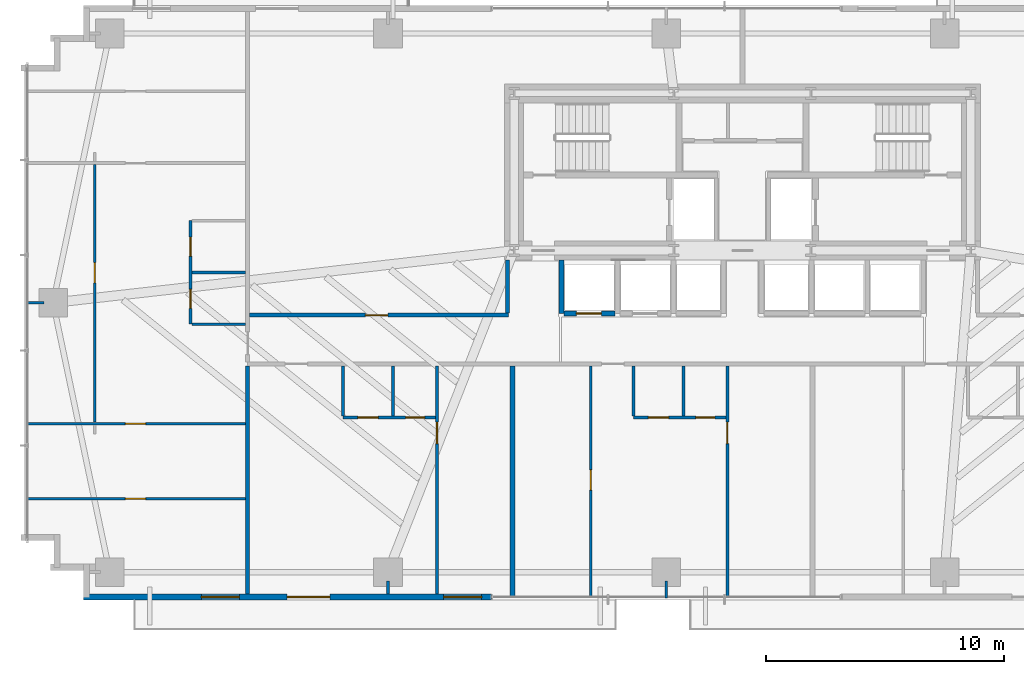
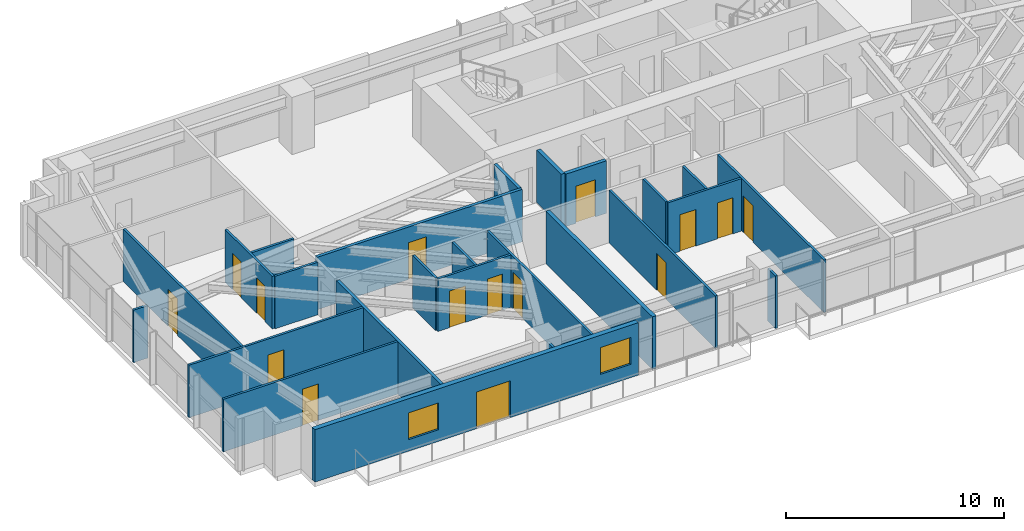
# One storey, part 19 of 25: 25 walls, 15 doors, 2 windows, 17 openings.
"""IFC4 building model written with IfcOpenShell, lengths in metres."""

from ifc_helpers import new_model, si_unit, direction, frame, frame_2d, origin, place, context, subcontext, project, spatial, rectangle, extrude, source, transform, mapped, material, layer, layer_set, type_object, type_shapes, element, fill, save


model = new_model("IFC4")

# Units and contexts
model_context = context("Model", 3, precision=1e-05, world=origin(), true_north=direction((0.0, 1.0)))
body_context = subcontext(model_context, "Body", "Model", "MODEL_VIEW")
ifc_project = project(units=[si_unit("LENGTHUNIT", "METRE"), si_unit("AREAUNIT", "SQUARE_METRE"), si_unit("VOLUMEUNIT", "CUBIC_METRE"), si_unit("PLANEANGLEUNIT", "RADIAN"), si_unit("MASSUNIT", "GRAM", prefix="KILO")], contexts=[model_context])

# Site, building, storey
site_placement = place(None, origin())
site = spatial("IfcSite", under=ifc_project, at=site_placement, CompositionType="ELEMENT")
building_placement = place(site_placement, origin())
building = spatial("IfcBuilding", under=site, at=building_placement, Name="Astriad Promenade Condominiums", CompositionType="ELEMENT")
storey_placement = place(building_placement, frame((0.0, 0.0, 45.39990234375)))
storey = spatial("IfcBuildingStorey", under=building, at=storey_placement, Name="L12", CompositionType="ELEMENT", Elevation=45.39990234375)

# Wall
ifc_material_1 = material(Name="Fire-Rated Gypsum Partition")
ifc_layer_1 = layer(ifc_material_1, 0.159912109375)
ifc_layer_set_1 = layer_set([ifc_layer_1], Name="Fire-Rated Gypsum Partition")
wall_type_1 = type_object("IfcWallType", Name="WALL-CORR-160", PredefinedType="PARTITIONING", material=ifc_layer_set_1)
wall_1_placement = place(storey_placement, frame((15.199951171875, 2.9619140625, 0.0), z_axis=(0.0, 0.0, 1.0), x_axis=(0.0, 1.0, 0.0)))
element("IfcWall", 1, at=wall_1_placement, inside=storey, type_object=wall_type_1, Name="PT-COR-W-L12", PredefinedType="PARTITIONING", context=body_context, shape_type="SweptSolid", body=[
    extrude(rectangle(XDim=9.586181640625, YDim=0.159912109375, at=frame_2d((4.79296875, 0.0))), origin(), (0.0, 0.0, 1.0), 2.940185546875),
])

# Wall, opening, door
wall_2_placement = place(storey_placement, frame((15.281982421875, 14.679931640625, 0.0), z_axis=(0.0, 0.0, 1.0), x_axis=(1.0, 0.0, 0.0)))
wall_2 = element("IfcWall", 2, at=wall_2_placement, inside=storey, type_object=wall_type_1, Name="PT-FLK-NW-L12", PredefinedType="PARTITIONING", context=body_context, shape_type="SweptSolid", body=[
    extrude(rectangle(XDim=10.8779296875, YDim=0.159912109375, at=frame_2d((5.43896484375, 0.0))), origin(), (0.0, 0.0, 1.0), 2.940185546875),
])
opening_1_placement = place(wall_2_placement, frame((4.863037109375, 0.0, 0.0)))
opening_1 = element("IfcOpeningElement", 3, at=opening_1_placement, cuts=wall_2, Name="Opening FD60-APT-095", PredefinedType="OPENING", context=body_context, shape_type="SweptSolid", body=[
    extrude(rectangle(XDim=0.949951171875, YDim=2.06005859375, at=frame_2d((0.47509765625, 1.030029296875))), frame((0.0, 0.08984375, 0.0), z_axis=(0.0, -1.0, 0.0), x_axis=(1.0, 0.0, 0.0)), (0.0, 0.0, 1.0), 0.179931640625),
])
ifc_material_2 = material(Name="Solid-Core Acoustic Timber Residence Entry Door", Category="wood")
door_type_1 = type_object("IfcDoorType", Name="FD60-APT-095", OperationType="NOTDEFINED", PredefinedType="DOOR", material=ifc_material_2)
shared_shape_1 = source(origin(), body_context, "Body", "SweptSolid", [
    extrude(rectangle(XDim=0.949951171875, YDim=2.06005859375, at=frame_2d((0.47509765625, 1.030029296875))), frame((0.0, 0.02490234375, 0.0), z_axis=(0.0, -1.0, 0.0), x_axis=(1.0, 0.0, 0.0)), (0.0, 0.0, 1.0), 0.050048828125),
])
type_shapes(door_type_1, [shared_shape_1])
door_1_placement = place(opening_1_placement, origin())
door_1 = element("IfcDoor", 4, at=door_1_placement, inside=storey, type_object=door_type_1, Name="D-NWA-L12", OperationType="SINGLE_SWING_LEFT", OverallHeight=2.06005859375, OverallWidth=0.949951171875, PredefinedType="DOOR", context=body_context, shape_type="MappedRepresentation", body=[
    mapped(shared_shape_1, transform((0.0, 0.0, 0.0), scale=1.0)),
])
fill(opening_1, door_1)

# Walls
wall_3_placement = place(storey_placement, frame((26.1201171875, 14.761962890625, 0.0), z_axis=(0.0, 0.0, 1.0), x_axis=(0.0, 1.0, 0.0)))
element("IfcWall", 5, at=wall_3_placement, inside=storey, type_object=wall_type_1, Name="PT-WSPUR-W-L12", PredefinedType="PARTITIONING", context=body_context, shape_type="SweptSolid", body=[
    extrude(rectangle(XDim=2.236083984375, YDim=0.159912109375, at=frame_2d((1.1181640625, 0.0))), origin(), (0.0, 0.0, 1.0), 2.940185546875),
])
ifc_material_3 = material(Name="Acoustic Double-Stud Gypsum Partition")
ifc_layer_2 = layer(ifc_material_3, 0.199951171875)
ifc_layer_set_2 = layer_set([ifc_layer_2], Name="Acoustic Double-Stud Gypsum Partition")
wall_type_2 = type_object("IfcWallType", Name="WALL-DEMISING-200", PredefinedType="PARTITIONING", material=ifc_layer_set_2)
wall_4_placement = place(storey_placement, frame((26.330078125, 2.780029296875, 0.0), z_axis=(0.0, 0.0, 1.0), x_axis=(0.0, 1.0, 0.0)))
element("IfcWall", 6, at=wall_4_placement, inside=storey, type_object=wall_type_2, Name="PT-DEM-S1-L12", PredefinedType="PARTITIONING", context=body_context, shape_type="SweptSolid", body=[
    extrude(rectangle(XDim=9.76806640625, YDim=0.199951171875, at=frame_2d((4.884033203125, 0.0))), origin(), (0.0, 0.0, 1.0), 2.940185546875),
])

# Wall, openings, door, windows
ifc_material_4 = material(Name="Precast concrete C50/60", Category="concrete")
ifc_layer_3 = layer(ifc_material_4, 0.260009765625)
ifc_layer_set_3 = layer_set([ifc_layer_3], Name="Precast concrete C50/60")
wall_type_3 = type_object("IfcWallType", Name="WALL-EXT-TWR-260", PredefinedType="STANDARD", material=ifc_layer_set_3)
wall_5_placement = place(storey_placement, frame((25.449951171875, 2.830078125, 0.0), z_axis=(0.0, 0.0, 1.0), x_axis=(-1.0, 0.0, 0.0)))
wall_5 = element("IfcWall", 7, at=wall_5_placement, inside=storey, type_object=wall_type_3, Name="W-EXT-L12-S2", PredefinedType="STANDARD", context=body_context, shape_type="SweptSolid", body=[
    extrude(rectangle(XDim=17.14990234375, YDim=0.260009765625, at=frame_2d((8.574951171875, 0.0))), origin(), (0.0, 0.0, 1.0), 2.940185546875),
])
opening_2_placement = place(wall_5_placement, frame((6.7900390625, 0.0, 0.0)))
opening_2 = element("IfcOpeningElement", 8, at=opening_2_placement, cuts=wall_5, Name="Opening BD-1822-SLD", PredefinedType="OPENING", context=body_context, shape_type="SweptSolid", body=[
    extrude(rectangle(XDim=1.800048828125, YDim=2.06005859375, at=frame_2d((0.89990234375, 1.030029296875))), frame((0.0, 0.139892578125, 0.0), z_axis=(0.0, -1.0, 0.0), x_axis=(1.0, 0.0, 0.0)), (0.0, 0.0, 1.0), 0.280029296875),
])
opening_3_placement = place(wall_5_placement, frame((10.60009765625, 0.0, 0.64990234375)))
opening_3 = element("IfcOpeningElement", 9, at=opening_3_placement, cuts=wall_5, Name="Opening WIN-TWR-1620", PredefinedType="OPENING", context=body_context, shape_type="SweptSolid", body=[
    extrude(rectangle(XDim=1.60009765625, YDim=1.5, at=frame_2d((0.800048828125, 0.75))), frame((0.0, 0.139892578125, 0.0), z_axis=(0.0, -1.0, 0.0), x_axis=(1.0, 0.0, 0.0)), (0.0, 0.0, 1.0), 0.280029296875),
])
opening_4_placement = place(wall_5_placement, frame((0.4130859375, 0.0, 0.75)))
opening_4 = element("IfcOpeningElement", 10, at=opening_4_placement, cuts=wall_5, Name="Opening WIN-TWR-1620", PredefinedType="OPENING", context=body_context, shape_type="SweptSolid", body=[
    extrude(rectangle(XDim=1.60009765625, YDim=1.5, at=frame_2d((0.800048828125, 0.75))), frame((0.0, 0.139892578125, 0.0), z_axis=(0.0, -1.0, 0.0), x_axis=(1.0, 0.0, 0.0)), (0.0, 0.0, 1.0), 0.280029296875),
])
ifc_material_5 = material(Name="Thermally Broken Aluminium Sliding Balcony Door", Category="aluminium")
door_type_2 = type_object("IfcDoorType", Name="BD-1822-SLD", OperationType="NOTDEFINED", PredefinedType="DOOR", material=ifc_material_5)
shared_shape_2 = source(origin(), body_context, "Body", "SweptSolid", [
    extrude(rectangle(XDim=1.800048828125, YDim=2.06005859375, at=frame_2d((0.89990234375, 1.030029296875))), frame((0.0, 0.02490234375, 0.0), z_axis=(0.0, -1.0, 0.0), x_axis=(1.0, 0.0, 0.0)), (0.0, 0.0, 1.0), 0.050048828125),
])
type_shapes(door_type_2, [shared_shape_2])
door_2_placement = place(opening_2_placement, origin())
door_2 = element("IfcDoor", 11, at=door_2_placement, inside=storey, type_object=door_type_2, Name="BD-L12-SW", OperationType="SLIDING_TO_LEFT", OverallHeight=2.06005859375, OverallWidth=1.800048828125, PredefinedType="DOOR", context=body_context, shape_type="MappedRepresentation", body=[
    mapped(shared_shape_2, transform((0.0, 0.0, 0.0), scale=1.0)),
])
fill(opening_2, door_2)
ifc_material_6 = material(Name="Dark Tinted Triple-Glazed Aluminium Window", Category="aluminium")
window_type = type_object("IfcWindowType", Name="WIN-TWR-1620", PartitioningType="SINGLE_PANEL", PredefinedType="WINDOW", material=ifc_material_6)
shared_shape_3 = source(origin(), body_context, "Body", "SweptSolid", [
    extrude(rectangle(XDim=1.60009765625, YDim=1.5, at=frame_2d((0.800048828125, 0.75))), frame((0.0, 0.030029296875, 0.0), z_axis=(0.0, -1.0, 0.0), x_axis=(1.0, 0.0, 0.0)), (0.0, 0.0, 1.0), 0.06005859375),
])
type_shapes(window_type, [shared_shape_3])
window_1_placement = place(opening_3_placement, origin())
window_1 = element("IfcWindow", 12, at=window_1_placement, inside=storey, type_object=window_type, Name="WIN-L12-SW", OverallHeight=1.5, OverallWidth=1.60009765625, PartitioningType="SINGLE_PANEL", PredefinedType="WINDOW", context=body_context, shape_type="MappedRepresentation", body=[
    mapped(shared_shape_3, transform((0.0, 0.0, 0.0), scale=1.0)),
])
fill(opening_3, window_1)
window_2_placement = place(opening_4_placement, origin())
window_2 = element("IfcWindow", 13, at=window_2_placement, inside=storey, type_object=window_type, Name="WIN-DW-L12-S1-BD1", OverallHeight=1.5, OverallWidth=1.60009765625, PartitioningType="SINGLE_PANEL", PredefinedType="WINDOW", context=body_context, shape_type="MappedRepresentation", body=[
    mapped(shared_shape_3, transform((0.0, 0.0, 0.0), scale=1.0)),
])
fill(opening_4, window_2)

# Wall, opening, door
ifc_material_7 = material(Name="Acoustic Metal-Stud Gypsum Partition")
ifc_layer_4 = layer(ifc_material_7, 0.1201171875)
ifc_layer_set_4 = layer_set([ifc_layer_4], Name="Acoustic Metal-Stud Gypsum Partition")
wall_type_4 = type_object("IfcWallType", Name="WALL-PART-120", PredefinedType="PARTITIONING", material=ifc_layer_set_4)
wall_6_placement = place(storey_placement, frame((23.1640625, 2.9619140625, 0.0), z_axis=(0.0, 0.0, 1.0), x_axis=(0.0, 1.0, 0.0)))
wall_6 = element("IfcWall", 14, at=wall_6_placement, inside=storey, type_object=wall_type_4, Name="PT-L12-S1-BD1", PredefinedType="PARTITIONING", context=body_context, shape_type="SweptSolid", body=[
    extrude(rectangle(XDim=9.586181640625, YDim=0.1201171875, at=frame_2d((4.79296875, 0.0))), origin(), (0.0, 0.0, 1.0), 2.940185546875),
])
opening_5_placement = place(wall_6_placement, frame((6.318115234375, 0.0, 0.0)))
opening_5 = element("IfcOpeningElement", 15, at=opening_5_placement, cuts=wall_6, Name="Opening D-INT-090", PredefinedType="OPENING", context=body_context, shape_type="SweptSolid", body=[
    extrude(rectangle(XDim=0.89990234375, YDim=2.050048828125, at=frame_2d((0.449951171875, 1.02490234375))), frame((0.0, 0.070068359375, 0.0), z_axis=(0.0, -1.0, 0.0), x_axis=(1.0, 0.0, 0.0)), (0.0, 0.0, 1.0), 0.14013671875),
])
ifc_material_8 = material(Name="Painted Solid-Core Timber Bedroom Door", Category="wood")
door_type_3 = type_object("IfcDoorType", Name="D-INT-090", OperationType="NOTDEFINED", PredefinedType="DOOR", material=ifc_material_8)
shared_shape_4 = source(origin(), body_context, "Body", "SweptSolid", [
    extrude(rectangle(XDim=0.89990234375, YDim=2.050048828125, at=frame_2d((0.449951171875, 1.02490234375))), frame((0.0, 0.02490234375, 0.0), z_axis=(0.0, -1.0, 0.0), x_axis=(1.0, 0.0, 0.0)), (0.0, 0.0, 1.0), 0.050048828125),
])
type_shapes(door_type_3, [shared_shape_4])
door_3_placement = place(opening_5_placement, origin())
door_3 = element("IfcDoor", 16, at=door_3_placement, inside=storey, type_object=door_type_3, Name="D-BD1-L12-S1", OperationType="SINGLE_SWING_RIGHT", OverallHeight=2.050048828125, OverallWidth=0.89990234375, PredefinedType="DOOR", context=body_context, shape_type="MappedRepresentation", body=[
    mapped(shared_shape_4, transform((0.0, 0.0, 0.0), scale=1.0)),
])
fill(opening_5, door_3)

# Wall, openings, doors
wall_7_placement = place(storey_placement, frame((19.214111328125, 10.3798828125, 0.0), z_axis=(0.0, 0.0, 1.0), x_axis=(1.0, 0.0, 0.0)))
wall_7 = element("IfcWall", 17, at=wall_7_placement, inside=storey, type_object=wall_type_4, Name="PT-L12-S1-PS", PredefinedType="PARTITIONING", context=body_context, shape_type="SweptSolid", body=[
    extrude(rectangle(XDim=3.887939453125, YDim=0.1201171875, at=frame_2d((1.94384765625, 0.0))), origin(), (0.0, 0.0, 1.0), 2.940185546875),
])
opening_6_placement = place(wall_7_placement, frame((0.625, 0.0, 0.0)))
opening_6 = element("IfcOpeningElement", 18, at=opening_6_placement, cuts=wall_7, Name="Opening D-INT-085", PredefinedType="OPENING", context=body_context, shape_type="SweptSolid", body=[
    extrude(rectangle(XDim=0.85009765625, YDim=2.050048828125, at=frame_2d((0.425048828125, 1.02490234375))), frame((0.0, 0.070068359375, 0.0), z_axis=(0.0, -1.0, 0.0), x_axis=(1.0, 0.0, 0.0)), (0.0, 0.0, 1.0), 0.14013671875),
])
opening_7_placement = place(wall_7_placement, frame((2.625, 0.0, 0.0)))
opening_7 = element("IfcOpeningElement", 19, at=opening_7_placement, cuts=wall_7, Name="Opening D-WET-080", PredefinedType="OPENING", context=body_context, shape_type="SweptSolid", body=[
    extrude(rectangle(XDim=0.800048828125, YDim=2.02001953125, at=frame_2d((0.39990234375, 1.010009765625))), frame((0.0, 0.070068359375, 0.0), z_axis=(0.0, -1.0, 0.0), x_axis=(1.0, 0.0, 0.0)), (0.0, 0.0, 1.0), 0.14013671875),
])
ifc_material_9 = material(Name="Moisture-Resistant Timber Bathroom Door", Category="wood")
door_type_4 = type_object("IfcDoorType", Name="D-WET-080", OperationType="NOTDEFINED", PredefinedType="DOOR", material=ifc_material_9)
shared_shape_5 = source(origin(), body_context, "Body", "SweptSolid", [
    extrude(rectangle(XDim=0.800048828125, YDim=2.02001953125, at=frame_2d((0.39990234375, 1.010009765625))), frame((0.0, 0.02490234375, 0.0), z_axis=(0.0, -1.0, 0.0), x_axis=(1.0, 0.0, 0.0)), (0.0, 0.0, 1.0), 0.050048828125),
])
type_shapes(door_type_4, [shared_shape_5])
door_4_placement = place(opening_7_placement, origin())
door_4 = element("IfcDoor", 20, at=door_4_placement, inside=storey, type_object=door_type_4, Name="D-BTH-L12-S1", OperationType="SINGLE_SWING_RIGHT", OverallHeight=2.02001953125, OverallWidth=0.800048828125, PredefinedType="DOOR", context=body_context, shape_type="MappedRepresentation", body=[
    mapped(shared_shape_5, transform((0.0, 0.0, 0.0), scale=1.0)),
])
fill(opening_7, door_4)
ifc_material_10 = material(Name="Painted Solid-Core Timber Room Door", Category="wood")
door_type_5 = type_object("IfcDoorType", Name="D-INT-085", OperationType="NOTDEFINED", PredefinedType="DOOR", material=ifc_material_10)
shared_shape_6 = source(origin(), body_context, "Body", "SweptSolid", [
    extrude(rectangle(XDim=0.85009765625, YDim=2.050048828125, at=frame_2d((0.425048828125, 1.02490234375))), frame((0.0, 0.02490234375, 0.0), z_axis=(0.0, -1.0, 0.0), x_axis=(1.0, 0.0, 0.0)), (0.0, 0.0, 1.0), 0.050048828125),
])
type_shapes(door_type_5, [shared_shape_6])
door_5_placement = place(opening_6_placement, origin())
door_5 = element("IfcDoor", 21, at=door_5_placement, inside=storey, type_object=door_type_5, Name="D-KIT-L12-S1", OperationType="SINGLE_SWING_LEFT", OverallHeight=2.050048828125, OverallWidth=0.85009765625, PredefinedType="DOOR", context=body_context, shape_type="MappedRepresentation", body=[
    mapped(shared_shape_6, transform((0.0, 0.0, 0.0), scale=1.0)),
])
fill(opening_6, door_5)

# Walls
for number, where, z_axis, x_axis, name in (
    (22, (21.31396484375, 10.44189453125, 0.0), (0.0, 0.0, 1.0), (0.0, 1.0, 0.0), "PT-L12-S1-PBK"),
    (23, (19.214111328125, 10.44189453125, 0.0), (0.0, 0.0, 1.0), (0.0, 1.0, 0.0), "PT-L12-S1-PKW"),
):
    element("IfcWall", number, at=place(storey_placement, frame(where, z_axis=z_axis, x_axis=x_axis)), inside=storey, type_object=wall_type_4, Name=name, PredefinedType="PARTITIONING", context=body_context, shape_type="SweptSolid", body=[
        extrude(rectangle(XDim=2.106201171875, YDim=0.1201171875, at=frame_2d((1.05322265625, 0.0))), origin(), (0.0, 0.0, 1.0), 2.940185546875),
    ])

# Wall, opening, door
wall_8_placement = place(storey_placement, frame((35.367919921875, 2.780029296875, 0.0), z_axis=(0.0, 0.0, 1.0), x_axis=(0.0, 1.0, 0.0)))
wall_8 = element("IfcWall", 24, at=wall_8_placement, inside=storey, type_object=wall_type_4, Name="PT-L12-S2-BD1", PredefinedType="PARTITIONING", context=body_context, shape_type="SweptSolid", body=[
    extrude(rectangle(XDim=9.76806640625, YDim=0.1201171875, at=frame_2d((4.884033203125, 0.0))), origin(), (0.0, 0.0, 1.0), 2.940185546875),
])
opening_8_placement = place(wall_8_placement, frame((6.5, 0.0, 0.0)))
opening_8 = element("IfcOpeningElement", 25, at=opening_8_placement, cuts=wall_8, Name="Opening D-INT-090", PredefinedType="OPENING", context=body_context, shape_type="SweptSolid", body=[
    extrude(rectangle(XDim=0.89990234375, YDim=2.050048828125, at=frame_2d((0.449951171875, 1.02490234375))), frame((0.0, 0.070068359375, 0.0), z_axis=(0.0, -1.0, 0.0), x_axis=(1.0, 0.0, 0.0)), (0.0, 0.0, 1.0), 0.14013671875),
])
door_6_placement = place(opening_8_placement, origin())
door_6 = element("IfcDoor", 26, at=door_6_placement, inside=storey, type_object=door_type_3, Name="D-BD1-L12-S2", OperationType="SINGLE_SWING_LEFT", OverallHeight=2.050048828125, OverallWidth=0.89990234375, PredefinedType="DOOR", context=body_context, shape_type="MappedRepresentation", body=[
    mapped(shared_shape_4, transform((0.0, 0.0, 0.0), scale=1.0)),
])
fill(opening_8, door_6)

# Wall, openings, doors
wall_9_placement = place(storey_placement, frame((31.41796875, 10.3798828125, 0.0), z_axis=(0.0, 0.0, 1.0), x_axis=(1.0, 0.0, 0.0)))
wall_9 = element("IfcWall", 27, at=wall_9_placement, inside=storey, type_object=wall_type_4, Name="PT-L12-S2-PS", PredefinedType="PARTITIONING", context=body_context, shape_type="SweptSolid", body=[
    extrude(rectangle(XDim=3.887939453125, YDim=0.1201171875, at=frame_2d((1.94384765625, 0.0))), origin(), (0.0, 0.0, 1.0), 2.940185546875),
])
opening_9_placement = place(wall_9_placement, frame((0.625, 0.0, 0.0)))
opening_9 = element("IfcOpeningElement", 28, at=opening_9_placement, cuts=wall_9, Name="Opening D-INT-085", PredefinedType="OPENING", context=body_context, shape_type="SweptSolid", body=[
    extrude(rectangle(XDim=0.85009765625, YDim=2.050048828125, at=frame_2d((0.425048828125, 1.02490234375))), frame((0.0, 0.070068359375, 0.0), z_axis=(0.0, -1.0, 0.0), x_axis=(1.0, 0.0, 0.0)), (0.0, 0.0, 1.0), 0.14013671875),
])
opening_10_placement = place(wall_9_placement, frame((2.625, 0.0, 0.0)))
opening_10 = element("IfcOpeningElement", 29, at=opening_10_placement, cuts=wall_9, Name="Opening D-WET-080", PredefinedType="OPENING", context=body_context, shape_type="SweptSolid", body=[
    extrude(rectangle(XDim=0.800048828125, YDim=2.02001953125, at=frame_2d((0.39990234375, 1.010009765625))), frame((0.0, 0.070068359375, 0.0), z_axis=(0.0, -1.0, 0.0), x_axis=(1.0, 0.0, 0.0)), (0.0, 0.0, 1.0), 0.14013671875),
])
door_7_placement = place(opening_10_placement, origin())
door_7 = element("IfcDoor", 30, at=door_7_placement, inside=storey, type_object=door_type_4, Name="D-BTH-L12-S2", OperationType="SINGLE_SWING_LEFT", OverallHeight=2.02001953125, OverallWidth=0.800048828125, PredefinedType="DOOR", context=body_context, shape_type="MappedRepresentation", body=[
    mapped(shared_shape_5, transform((0.0, 0.0, 0.0), scale=1.0)),
])
fill(opening_10, door_7)
door_8_placement = place(opening_9_placement, origin())
door_8 = element("IfcDoor", 31, at=door_8_placement, inside=storey, type_object=door_type_5, Name="D-KIT-L12-S2", OperationType="SINGLE_SWING_RIGHT", OverallHeight=2.050048828125, OverallWidth=0.85009765625, PredefinedType="DOOR", context=body_context, shape_type="MappedRepresentation", body=[
    mapped(shared_shape_6, transform((0.0, 0.0, 0.0), scale=1.0)),
])
fill(opening_9, door_8)

# Walls
for number, where, z_axis, x_axis, name in (
    (32, (33.51806640625, 10.44189453125, 0.0), (0.0, 0.0, 1.0), (0.0, 1.0, 0.0), "PT-L12-S2-PBK"),
    (33, (31.41796875, 10.44189453125, 0.0), (0.0, 0.0, 1.0), (0.0, 1.0, 0.0), "PT-L12-S2-PKW"),
):
    element("IfcWall", number, at=place(storey_placement, frame(where, z_axis=z_axis, x_axis=x_axis)), inside=storey, type_object=wall_type_4, Name=name, PredefinedType="PARTITIONING", context=body_context, shape_type="SweptSolid", body=[
        extrude(rectangle(XDim=2.106201171875, YDim=0.1201171875, at=frame_2d((1.05322265625, 0.0))), origin(), (0.0, 0.0, 1.0), 2.940185546875),
    ])

# Wall, opening, door
wall_10_placement = place(storey_placement, frame((29.6259765625, 2.780029296875, 0.0), z_axis=(0.0, 0.0, 1.0), x_axis=(0.0, 1.0, 0.0)))
wall_10 = element("IfcWall", 34, at=wall_10_placement, inside=storey, type_object=wall_type_4, Name="PT-L12-S2-CAP1", PredefinedType="PARTITIONING", context=body_context, shape_type="SweptSolid", body=[
    extrude(rectangle(XDim=9.76806640625, YDim=0.1201171875, at=frame_2d((4.884033203125, 0.0))), origin(), (0.0, 0.0, 1.0), 2.940185546875),
])
opening_11_placement = place(wall_10_placement, frame((4.5400390625, 0.0, 0.0)))
opening_11 = element("IfcOpeningElement", 35, at=opening_11_placement, cuts=wall_10, Name="Opening D-INT-085", PredefinedType="OPENING", context=body_context, shape_type="SweptSolid", body=[
    extrude(rectangle(XDim=0.85009765625, YDim=2.050048828125, at=frame_2d((0.425048828125, 1.02490234375))), frame((0.0, 0.070068359375, 0.0), z_axis=(0.0, -1.0, 0.0), x_axis=(1.0, 0.0, 0.0)), (0.0, 0.0, 1.0), 0.14013671875),
])
door_9_placement = place(opening_11_placement, origin())
door_9 = element("IfcDoor", 36, at=door_9_placement, inside=storey, type_object=door_type_5, Name="D-CAP1-L12-S2", OperationType="SINGLE_SWING_LEFT", OverallHeight=2.050048828125, OverallWidth=0.85009765625, PredefinedType="DOOR", context=body_context, shape_type="MappedRepresentation", body=[
    mapped(shared_shape_6, transform((0.0, 0.0, 0.0), scale=1.0)),
])
fill(opening_11, door_9)

# Wall, openings, doors
wall_11_placement = place(storey_placement, frame((12.800048828125, 14.299072265625, 0.0), z_axis=(0.0, 0.0, 1.0), x_axis=(0.0, 1.0, 0.0)))
wall_11 = element("IfcWall", 37, at=wall_11_placement, inside=storey, type_object=wall_type_4, Name="PT-L12-W1-PV", PredefinedType="PARTITIONING", context=body_context, shape_type="SweptSolid", body=[
    extrude(rectangle(XDim=4.349853515625, YDim=0.1201171875, at=frame_2d((2.1748046875, 0.0))), origin(), (0.0, 0.0, 1.0), 2.940185546875),
])
opening_12_placement = place(wall_11_placement, frame((0.662109375, 0.0, 0.0)))
opening_12 = element("IfcOpeningElement", 38, at=opening_12_placement, cuts=wall_11, Name="Opening D-ULOW-080", PredefinedType="OPENING", context=body_context, shape_type="SweptSolid", body=[
    extrude(rectangle(XDim=0.800048828125, YDim=2.0, at=frame_2d((0.39990234375, 1.0))), frame((0.0, 0.070068359375, 0.0), z_axis=(0.0, -1.0, 0.0), x_axis=(1.0, 0.0, 0.0)), (0.0, 0.0, 1.0), 0.14013671875),
])
opening_13_placement = place(wall_11_placement, frame((2.863037109375, 0.0, 0.0)))
opening_13 = element("IfcOpeningElement", 39, at=opening_13_placement, cuts=wall_11, Name="Opening D-WET-080", PredefinedType="OPENING", context=body_context, shape_type="SweptSolid", body=[
    extrude(rectangle(XDim=0.800048828125, YDim=2.02001953125, at=frame_2d((0.39990234375, 1.010009765625))), frame((0.0, 0.070068359375, 0.0), z_axis=(0.0, -1.0, 0.0), x_axis=(1.0, 0.0, 0.0)), (0.0, 0.0, 1.0), 0.14013671875),
])
door_10_placement = place(opening_13_placement, origin())
door_10 = element("IfcDoor", 40, at=door_10_placement, inside=storey, type_object=door_type_4, Name="D-BTH-L12-W1", OperationType="SINGLE_SWING_LEFT", OverallHeight=2.02001953125, OverallWidth=0.800048828125, PredefinedType="DOOR", context=body_context, shape_type="MappedRepresentation", body=[
    mapped(shared_shape_5, transform((0.0, 0.0, 0.0), scale=1.0)),
])
fill(opening_13, door_10)
ifc_material_11 = material(Name="Painted Timber Low-Headroom Door", Category="wood")
door_type_6 = type_object("IfcDoorType", Name="D-ULOW-080", OperationType="NOTDEFINED", PredefinedType="DOOR", material=ifc_material_11)
shared_shape_7 = source(origin(), body_context, "Body", "SweptSolid", [
    extrude(rectangle(XDim=0.800048828125, YDim=2.0, at=frame_2d((0.39990234375, 1.0))), frame((0.0, 0.02490234375, 0.0), z_axis=(0.0, -1.0, 0.0), x_axis=(1.0, 0.0, 0.0)), (0.0, 0.0, 1.0), 0.050048828125),
])
type_shapes(door_type_6, [shared_shape_7])
door_11_placement = place(opening_12_placement, origin())
door_11 = element("IfcDoor", 41, at=door_11_placement, inside=storey, type_object=door_type_6, Name="D-KIT-L12-W1", OperationType="SINGLE_SWING_RIGHT", OverallHeight=2.0, OverallWidth=0.800048828125, PredefinedType="DOOR", context=body_context, shape_type="MappedRepresentation", body=[
    mapped(shared_shape_7, transform((0.0, 0.0, 0.0), scale=1.0)),
])
fill(opening_12, door_11)

# Walls
for number, where, z_axis, x_axis, name in (
    (42, (12.862060546875, 16.47412109375, 0.0), (0.0, 0.0, 1.0), (1.0, 0.0, 0.0), "PT-L12-W1-PM"),
    (43, (12.862060546875, 14.299072265625, 0.0), (0.0, 0.0, 1.0), (1.0, 0.0, 0.0), "PT-L12-W1-PS"),
):
    element("IfcWall", number, at=place(storey_placement, frame(where, z_axis=z_axis, x_axis=x_axis)), inside=storey, type_object=wall_type_4, Name=name, PredefinedType="PARTITIONING", context=body_context, shape_type="SweptSolid", body=[
        extrude(rectangle(XDim=2.255859375, YDim=0.1201171875, at=frame_2d((1.1279296875, 0.0))), origin(), (0.0, 0.0, 1.0), 2.940185546875),
    ])

# Wall, opening, door
wall_12_placement = place(storey_placement, frame((5.8798828125, 6.9599609375, 0.0), z_axis=(0.0, 0.0, 1.0), x_axis=(1.0, 0.0, 0.0)))
wall_12 = element("IfcWall", 44, at=wall_12_placement, inside=storey, type_object=wall_type_4, Name="PT-L12-W1-WDS1", PredefinedType="PARTITIONING", context=body_context, shape_type="SweptSolid", body=[
    extrude(rectangle(XDim=9.238037109375, YDim=0.1201171875, at=frame_2d((4.619140625, 0.0))), origin(), (0.0, 0.0, 1.0), 2.940185546875),
])
opening_14_placement = place(wall_12_placement, frame((4.18505859375, 0.0, 0.0)))
opening_14 = element("IfcOpeningElement", 45, at=opening_14_placement, cuts=wall_12, Name="Opening D-INT-085", PredefinedType="OPENING", context=body_context, shape_type="SweptSolid", body=[
    extrude(rectangle(XDim=0.85009765625, YDim=2.050048828125, at=frame_2d((0.425048828125, 1.02490234375))), frame((0.0, 0.070068359375, 0.0), z_axis=(0.0, -1.0, 0.0), x_axis=(1.0, 0.0, 0.0)), (0.0, 0.0, 1.0), 0.14013671875),
])
door_12_placement = place(opening_14_placement, origin())
door_12 = element("IfcDoor", 46, at=door_12_placement, inside=storey, type_object=door_type_5, Name="D-WDS1-L12-W1", OperationType="SINGLE_SWING_LEFT", OverallHeight=2.050048828125, OverallWidth=0.85009765625, PredefinedType="DOOR", context=body_context, shape_type="MappedRepresentation", body=[
    mapped(shared_shape_6, transform((0.0, 0.0, 0.0), scale=1.0)),
])
fill(opening_14, door_12)

wall_13_placement = place(storey_placement, frame((5.8798828125, 10.115966796875, 0.0), z_axis=(0.0, 0.0, 1.0), x_axis=(1.0, 0.0, 0.0)))
wall_13 = element("IfcWall", 47, at=wall_13_placement, inside=storey, type_object=wall_type_4, Name="PT-L12-W1-WDS2", PredefinedType="PARTITIONING", context=body_context, shape_type="SweptSolid", body=[
    extrude(rectangle(XDim=9.238037109375, YDim=0.1201171875, at=frame_2d((4.619140625, 0.0))), origin(), (0.0, 0.0, 1.0), 2.940185546875),
])
opening_15_placement = place(wall_13_placement, frame((4.18505859375, 0.0, 0.0)))
opening_15 = element("IfcOpeningElement", 48, at=opening_15_placement, cuts=wall_13, Name="Opening D-INT-085", PredefinedType="OPENING", context=body_context, shape_type="SweptSolid", body=[
    extrude(rectangle(XDim=0.85009765625, YDim=2.050048828125, at=frame_2d((0.425048828125, 1.02490234375))), frame((0.0, 0.070068359375, 0.0), z_axis=(0.0, -1.0, 0.0), x_axis=(1.0, 0.0, 0.0)), (0.0, 0.0, 1.0), 0.14013671875),
])
door_13_placement = place(opening_15_placement, origin())
door_13 = element("IfcDoor", 49, at=door_13_placement, inside=storey, type_object=door_type_5, Name="D-WDS2-L12-W1", OperationType="SINGLE_SWING_RIGHT", OverallHeight=2.050048828125, OverallWidth=0.85009765625, PredefinedType="DOOR", context=body_context, shape_type="MappedRepresentation", body=[
    mapped(shared_shape_6, transform((0.0, 0.0, 0.0), scale=1.0)),
])
fill(opening_15, door_13)

wall_14_placement = place(storey_placement, frame((8.77490234375, 10.177978515625, 0.0), z_axis=(0.0, 0.0, 1.0), x_axis=(0.0, 1.0, 0.0)))
wall_14 = element("IfcWall", 50, at=wall_14_placement, inside=storey, type_object=wall_type_4, Name="PT-L12-W1-WDV4-S2", PredefinedType="PARTITIONING", context=body_context, shape_type="SweptSolid", body=[
    extrude(rectangle(XDim=10.830078125, YDim=0.1201171875, at=frame_2d((5.4150390625, 0.0))), origin(), (0.0, 0.0, 1.0), 2.940185546875),
])
opening_16_placement = place(wall_14_placement, frame((5.860107421875, 0.0, 0.0)))
opening_16 = element("IfcOpeningElement", 51, at=opening_16_placement, cuts=wall_14, Name="Opening D-INT-085", PredefinedType="OPENING", context=body_context, shape_type="SweptSolid", body=[
    extrude(rectangle(XDim=0.85009765625, YDim=2.050048828125, at=frame_2d((0.425048828125, 1.02490234375))), frame((0.0, 0.070068359375, 0.0), z_axis=(0.0, -1.0, 0.0), x_axis=(1.0, 0.0, 0.0)), (0.0, 0.0, 1.0), 0.14013671875),
])
door_14_placement = place(opening_16_placement, origin())
door_14 = element("IfcDoor", 52, at=door_14_placement, inside=storey, type_object=door_type_5, Name="D-WDV4-L12-W1", OperationType="SINGLE_SWING_RIGHT", OverallHeight=2.050048828125, OverallWidth=0.85009765625, PredefinedType="DOOR", context=body_context, shape_type="MappedRepresentation", body=[
    mapped(shared_shape_6, transform((0.0, 0.0, 0.0), scale=1.0)),
])
fill(opening_16, door_14)

# Walls
wall_15_placement = place(storey_placement, frame((21.10009765625, 3.5, 0.0), z_axis=(0.0, 0.0, 1.0), x_axis=(0.0, -1.0, 0.0)))
element("IfcWall", 53, at=wall_15_placement, inside=storey, type_object=wall_type_4, Name="PT-PIL-L12-PC02-9", PredefinedType="PARTITIONING", context=body_context, shape_type="SweptSolid", body=[
    extrude(rectangle(XDim=0.5380859375, YDim=0.1201171875, at=frame_2d((0.26904296875, 0.0))), origin(), (0.0, 0.0, 1.0), 2.940185546875),
])
wall_16_placement = place(storey_placement, frame((32.800048828125, 3.5, 0.0), z_axis=(0.0, 0.0, 1.0), x_axis=(0.0, -1.0, 0.0)))
element("IfcWall", 54, at=wall_16_placement, inside=storey, type_object=wall_type_4, Name="PT-PIL-L12-PC03-10", PredefinedType="PARTITIONING", context=body_context, shape_type="SweptSolid", body=[
    extrude(rectangle(XDim=0.719970703125, YDim=0.1201171875, at=frame_2d((0.35986328125, 0.0))), origin(), (0.0, 0.0, 1.0), 2.940185546875),
])
wall_17_placement = place(storey_placement, frame((6.639892578125, 15.199951171875, 0.0), z_axis=(0.0, 0.0, 1.0), x_axis=(-1.0, 0.0, 0.0)))
element("IfcWall", 55, at=wall_17_placement, inside=storey, type_object=wall_type_4, Name="PT-PIL-L12-PC11-18", PredefinedType="PARTITIONING", context=body_context, shape_type="SweptSolid", body=[
    extrude(rectangle(XDim=0.760009765625, YDim=0.1201171875, at=frame_2d((0.3798828125, 0.0))), origin(), (0.0, 0.0, 1.0), 2.940185546875),
])
ifc_material_12 = material(Name="Gypsum Shaftliner Assembly")
ifc_layer_5 = layer(ifc_material_12, 0.199951171875)
ifc_layer_set_5 = layer_set([ifc_layer_5], Name="Gypsum Shaftliner Assembly")
wall_type_5 = type_object("IfcWallType", Name="WALL-SHAFT-200", PredefinedType="PARTITIONING", material=ifc_layer_set_5)
wall_18_placement = place(storey_placement, frame((28.39990234375, 14.75, 0.0), z_axis=(0.0, 0.0, 1.0), x_axis=(0.0, 1.0, 0.0)))
element("IfcWall", 56, at=wall_18_placement, inside=storey, type_object=wall_type_5, Name="PL-W-OUT-L12", PredefinedType="PARTITIONING", context=body_context, shape_type="SweptSolid", body=[
    extrude(rectangle(XDim=2.248046875, YDim=0.199951171875, at=frame_2d((1.1240234375, 0.0))), origin(), (0.0, 0.0, 1.0), 2.940185546875),
])

# Wall, opening, door
wall_19_placement = place(storey_placement, frame((28.501953125, 14.75, 0.0), z_axis=(0.0, 0.0, 1.0), x_axis=(1.0, 0.0, 0.0)))
wall_19 = element("IfcWall", 57, at=wall_19_placement, inside=storey, type_object=wall_type_5, Name="PL-L-FRT-L12", PredefinedType="PARTITIONING", context=body_context, shape_type="SweptSolid", body=[
    extrude(rectangle(XDim=2.14599609375, YDim=0.199951171875, at=frame_2d((1.072998046875, 0.0))), origin(), (0.0, 0.0, 1.0), 2.940185546875),
])
opening_17_placement = place(wall_19_placement, frame((0.52294921875, 0.0, 0.0)))
opening_17 = element("IfcOpeningElement", 58, at=opening_17_placement, cuts=wall_19, Name="Opening LD-PL-10522", PredefinedType="OPENING", context=body_context, shape_type="SweptSolid", body=[
    extrude(rectangle(XDim=1.050048828125, YDim=2.080078125, at=frame_2d((0.52490234375, 1.0400390625))), frame((0.0, 0.10986328125, 0.0), z_axis=(0.0, -1.0, 0.0), x_axis=(1.0, 0.0, 0.0)), (0.0, 0.0, 1.0), 0.219970703125),
])
ifc_material_13 = material(Name="Brushed Bronze Passenger Elevator Landing Door")
door_type_7 = type_object("IfcDoorType", Name="LD-PL-10522", OperationType="NOTDEFINED", PredefinedType="DOOR", material=ifc_material_13)
shared_shape_8 = source(origin(), body_context, "Body", "SweptSolid", [
    extrude(rectangle(XDim=1.050048828125, YDim=2.080078125, at=frame_2d((0.52490234375, 1.0400390625))), frame((0.0, 0.02490234375, 0.0), z_axis=(0.0, -1.0, 0.0), x_axis=(1.0, 0.0, 0.0)), (0.0, 0.0, 1.0), 0.050048828125),
])
type_shapes(door_type_7, [shared_shape_8])
door_15_placement = place(opening_17_placement, origin())
door_15 = element("IfcDoor", 59, at=door_15_placement, inside=storey, type_object=door_type_7, Name="Elevator Landing Door PL-L1 (L12)", OperationType="SLIDING_TO_LEFT", OverallHeight=2.080078125, OverallWidth=1.050048828125, PredefinedType="DOOR", context=body_context, shape_type="MappedRepresentation", body=[
    mapped(shared_shape_8, transform((0.0, 0.0, 0.0), scale=1.0)),
])
fill(opening_17, door_15)

save(model, "model.ifc")
